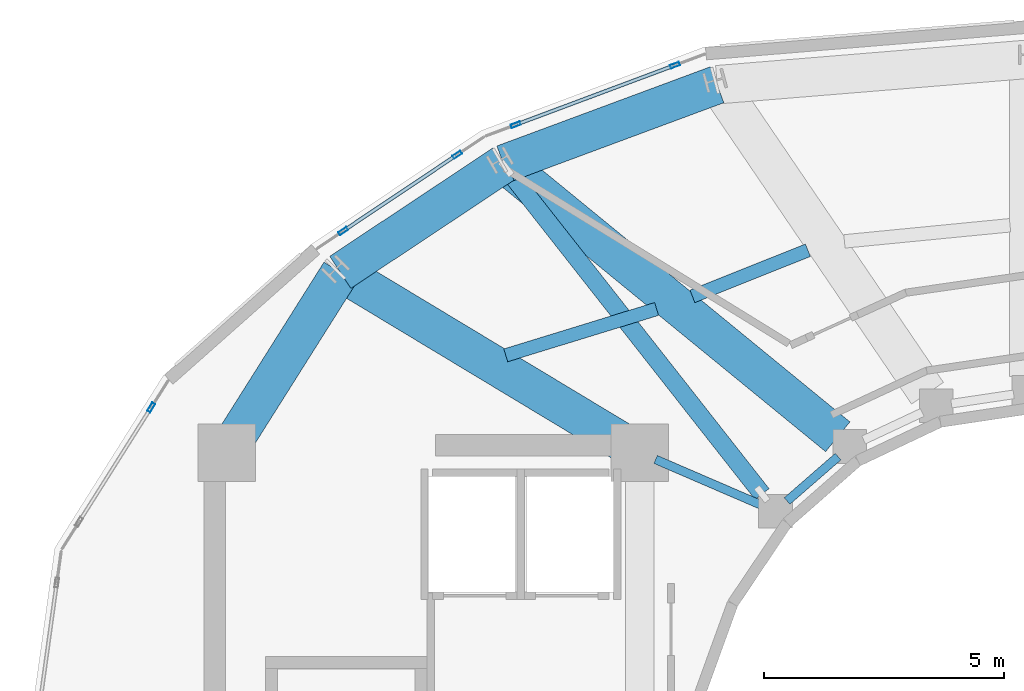
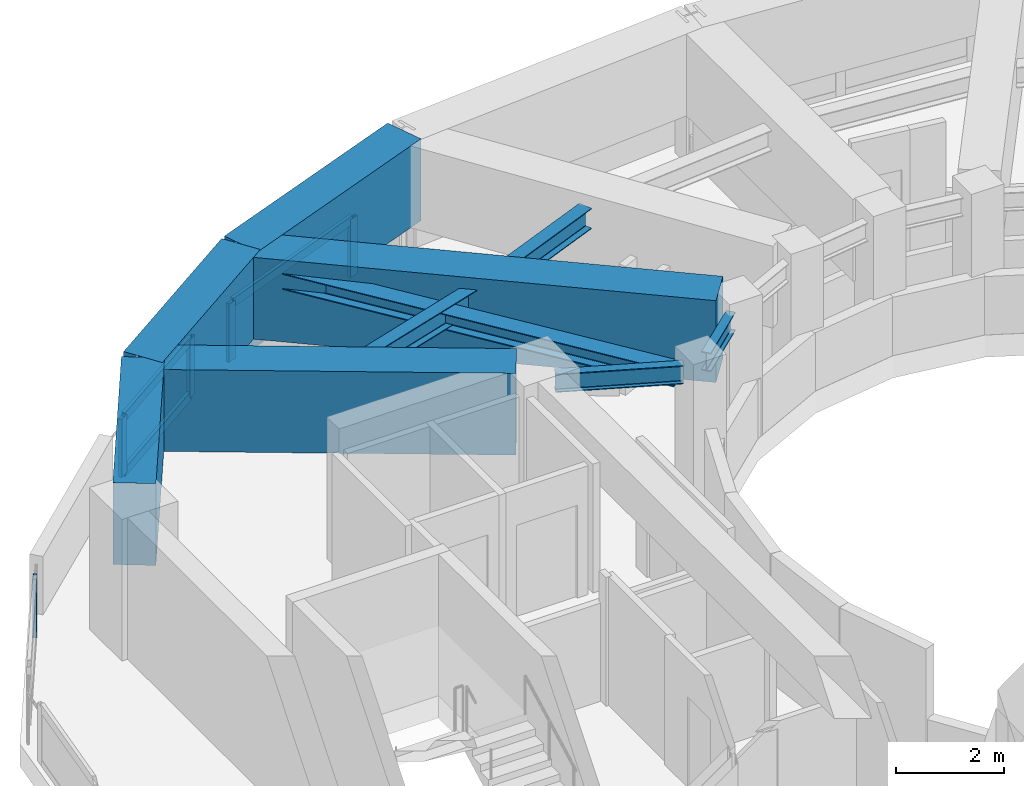
# One storey, part 9 of 21: 10 members, 9 beams, 3 elements without a shape of their own.
"""IFC4 building model written with IfcOpenShell, lengths in metres."""

from ifc_helpers import new_model, si_unit, direction, frame, origin, origin_2d, place, context, subcontext, project, spatial, rectangle, hollow_rectangle, i_section, extrude, material, layer, layer_set, material_profile, profile_set, type_object, element, aggregate, save


model = new_model("IFC4")

# Units and contexts
model_context = context("Model", 3, precision=1e-05, world=origin(), true_north=direction((0.0, 1.0)))
body_context = subcontext(model_context, "Body", "Model", "MODEL_VIEW")
ifc_project = project(units=[si_unit("LENGTHUNIT", "METRE"), si_unit("AREAUNIT", "SQUARE_METRE"), si_unit("VOLUMEUNIT", "CUBIC_METRE"), si_unit("PLANEANGLEUNIT", "RADIAN"), si_unit("MASSUNIT", "GRAM", prefix="KILO")], contexts=[model_context])

# Site, building, storey
site_placement = place(None, origin())
site = spatial("IfcSite", under=ifc_project, at=site_placement, CompositionType="ELEMENT")
building_placement = place(site_placement, origin())
building = spatial("IfcBuilding", under=site, at=building_placement, Name="Solvane Sanctuary Tower", CompositionType="ELEMENT")
storey_placement = place(building_placement, frame((0.0, 0.0, 260.39990234375)))
storey = spatial("IfcBuildingStorey", under=building, at=storey_placement, Name="L79", CompositionType="ELEMENT", Elevation=260.39990234375)

# Beams
ifc_material_1 = material(Name="Steel ASTM A992 Grade 50", Category="steel")
ifc_material_profile_1 = material_profile(ifc_material_1, i_section(OverallWidth=0.180908203125, OverallDepth=0.4169921875, WebThickness=0.010986328125, FlangeThickness=0.018310546875, FilletRadius=0.012939453125, at=origin_2d()), Name="W16X57")
ifc_profile_set_1 = profile_set([ifc_material_profile_1], Name="Steel ASTM A992 Grade 50")
beam_type_1 = type_object("IfcBeamType", Name="Beam B-ROOF-BM W16X57", PredefinedType="BEAM", material=ifc_profile_set_1)
beam_1_placement = place(storey_placement, frame((24.230712890625, 30.0576171875, 2.7294921875), z_axis=(0.918283854026, -0.395922673554, 0.0), x_axis=(0.395922673554, 0.918283854026, 0.0)))
element("IfcBeam", 1, at=beam_1_placement, inside=storey, type_object=beam_type_1, Name="L79 Inner Light-Well Ring Beam CW3-IC07", PredefinedType="BEAM", context=body_context, shape_type="SweptSolid", body=[
    extrude(i_section(OverallWidth=0.180908203125, OverallDepth=0.4169921875, WebThickness=0.010986328125, FlangeThickness=0.018310546875, FilletRadius=0.012939453125, at=origin_2d()), origin(), (0.0, 0.0, 1.0), 2.396240234375),
])
beam_2_placement = place(storey_placement, frame((26.96630859375, 29.192138671875, 2.7294921875), z_axis=(0.754388985763, 0.656427648839, 0.0), x_axis=(-0.656427648839, 0.754388985763, 0.0)))
element("IfcBeam", 2, at=beam_2_placement, inside=storey, type_object=beam_type_1, Name="L79 Inner Light-Well Ring Beam IC07-IC06", PredefinedType="BEAM", context=body_context, shape_type="SweptSolid", body=[
    extrude(i_section(OverallWidth=0.180908203125, OverallDepth=0.4169921875, WebThickness=0.010986328125, FlangeThickness=0.018310546875, FilletRadius=0.012939453125, at=origin_2d()), origin(), (0.0, 0.0, 1.0), 1.408203125),
])
ifc_material_profile_2 = material_profile(ifc_material_1, i_section(OverallWidth=0.280029296875, OverallDepth=0.462890625, WebThickness=0.0107421875, FlangeThickness=0.017333984375, FilletRadius=0.013916015625, at=origin_2d()), Name="W18X76")
ifc_profile_set_2 = profile_set([ifc_material_profile_2], Name="Steel ASTM A992 Grade 50")
beam_type_2 = type_object("IfcBeamType", Name="Beam B-SEC-JOIST W18X76", PredefinedType="JOIST", material=ifc_profile_set_2)
beam_3_placement = place(storey_placement, frame((21.111083984375, 32.224609375, 2.70654296875), z_axis=(0.955852892864, 0.293845617974, 0.0), x_axis=(-0.293845617974, 0.955852892864, 0.0)))
element("IfcBeam", 3, at=beam_3_placement, inside=storey, type_object=beam_type_2, Name="L79 Secondary Circumferential Joist 07-06", PredefinedType="JOIST", context=body_context, shape_type="SweptSolid", body=[
    extrude(i_section(OverallWidth=0.280029296875, OverallDepth=0.462890625, WebThickness=0.0107421875, FlangeThickness=0.017333984375, FilletRadius=0.013916015625, at=origin_2d()), origin(), (0.0, 0.0, 1.0), 3.28515625),
])
beam_4_placement = place(storey_placement, frame((24.995849609375, 33.452392578125, 2.70654296875), z_axis=(0.92876903076, 0.370658990855, 0.0), x_axis=(-0.370658990855, 0.92876903076, 0.0)))
element("IfcBeam", 4, at=beam_4_placement, inside=storey, type_object=beam_type_2, Name="L79 Secondary Circumferential Joist 06-05", PredefinedType="JOIST", context=body_context, shape_type="SweptSolid", body=[
    extrude(i_section(OverallWidth=0.280029296875, OverallDepth=0.462890625, WebThickness=0.0107421875, FlangeThickness=0.017333984375, FilletRadius=0.013916015625, at=origin_2d()), origin(), (0.0, 0.0, 1.0), 2.589111328125),
])
ifc_material_2 = material(Name="Concrete C70/85", Category="concrete")
ifc_material_profile_3 = material_profile(ifc_material_2, rectangle(XDim=0.800048828125, YDim=1.85009765625, at=origin_2d()), Name="RC800X1850")
ifc_profile_set_3 = profile_set([ifc_material_profile_3], Name="Concrete C70/85")
beam_type_3 = type_object("IfcBeamType", Name="Beam B-XFER-BLK RC800X1850", PredefinedType="BEAM", material=ifc_profile_set_3)
beam_5_placement = place(storey_placement, frame((28.022216796875, 30.529296875, 2.275146484375), z_axis=(-0.773916156075, 0.63328807297, 0.0), x_axis=(-0.63328807297, -0.773916156075, 0.0)))
element("IfcBeam", 5, at=beam_5_placement, inside=storey, type_object=beam_type_3, Name="L79 Block-Shift Radial Transfer Girder 06A", PredefinedType="BEAM", context=body_context, shape_type="SweptSolid", body=[
    extrude(rectangle(XDim=0.800048828125, YDim=1.85009765625, at=origin_2d()), origin(), (0.0, 0.0, 1.0), 8.989501953125),
])
beam_6_placement = place(storey_placement, frame((23.591796875, 30.3857421875, 2.275146484375), z_axis=(-0.856463025374, 0.516208374756, 0.0), x_axis=(-0.516208374756, -0.856463025374, 0.0)))
element("IfcBeam", 6, at=beam_6_placement, inside=storey, type_object=beam_type_3, Name="L79 Block-Shift Radial Transfer Girder 07A", PredefinedType="BEAM", context=body_context, shape_type="SweptSolid", body=[
    extrude(rectangle(XDim=0.800048828125, YDim=1.85009765625, at=origin_2d()), origin(), (0.0, 0.0, 1.0), 6.934814453125),
])
beam_7_placement = place(storey_placement, frame((15.491943359375, 30.50439453125, 2.275146484375), z_axis=(0.533445325405, 0.845834549308, 0.0), x_axis=(-0.845834549308, 0.533445325405, 0.0)))
element("IfcBeam", 7, at=beam_7_placement, inside=storey, type_object=beam_type_3, Name="L79 Perimeter Step Transfer Ring CW4-NTC07", PredefinedType="BEAM", context=body_context, shape_type="SweptSolid", body=[
    extrude(rectangle(XDim=0.800048828125, YDim=1.85009765625, at=origin_2d()), origin(), (0.0, 0.0, 1.0), 4.076416015625),
])
beam_8_placement = place(storey_placement, frame((17.66650390625, 33.952392578125, 2.275146484375), z_axis=(0.833190720358, 0.552985735357, 0.0), x_axis=(-0.552985735357, 0.833190720358, 0.0)))
element("IfcBeam", 8, at=beam_8_placement, inside=storey, type_object=beam_type_3, Name="L79 Perimeter Step Transfer Ring NTC07-NTC06", PredefinedType="BEAM", context=body_context, shape_type="SweptSolid", body=[
    extrude(rectangle(XDim=0.800048828125, YDim=1.85009765625, at=origin_2d()), origin(), (0.0, 0.0, 1.0), 4.07763671875),
])
beam_9_placement = place(storey_placement, frame((21.06396484375, 36.207275390625, 2.275146484375), z_axis=(0.937541853236, 0.347872495939, 0.0), x_axis=(-0.347872495939, 0.937541853236, 0.0)))
element("IfcBeam", 9, at=beam_9_placement, inside=storey, type_object=beam_type_3, Name="L79 Perimeter Step Transfer Ring NTC06-NTC05", PredefinedType="BEAM", context=body_context, shape_type="SweptSolid", body=[
    extrude(rectangle(XDim=0.800048828125, YDim=1.85009765625, at=origin_2d()), origin(), (0.0, 0.0, 1.0), 4.74365234375),
])

# Member
ifc_material_profile_4 = material_profile(ifc_material_1, i_section(OverallWidth=0.368896484375, OverallDepth=0.35595703125, WebThickness=0.01123046875, FlangeThickness=0.01806640625, FilletRadius=0.02490234375, at=origin_2d()), Name="W14X90")
ifc_profile_set_4 = profile_set([ifc_material_profile_4], Name="Steel ASTM A992 Grade 50")
member_type_1 = type_object("IfcMemberType", Name="Member M-CROWN-TIE W14X90", PredefinedType="CHORD", material=ifc_profile_set_4)
member_1_placement = place(storey_placement, frame((26.444091796875, 29.33984375, 2.540283203125), z_axis=(-0.617589777425, 0.786175324779, 0.022610296939), x_axis=(-0.786376358311, -0.617747701809, 0.0)))
element("IfcMember", 10, at=member_1_placement, inside=storey, type_object=member_type_1, Name="L79 Crown Bracing Tie 07", PredefinedType="CHORD", context=body_context, shape_type="SweptSolid", body=[
    extrude(i_section(OverallWidth=0.368896484375, OverallDepth=0.35595703125, WebThickness=0.01123046875, FlangeThickness=0.01806640625, FilletRadius=0.02490234375, at=origin_2d()), origin(), (0.0, 0.0, 1.0), 8.61669921875),
])

# Curtain wall, members
ifc_material_3 = material(Name="Anodised Aluminium 6063-T6", Category="aluminium")
ifc_layer = layer(ifc_material_3, 0.219970703125, Name="Anodised Aluminium 6063-T6")
ifc_layer_set = layer_set([ifc_layer], Name="Anodised Aluminium 6063-T6")
curtain_wall_type = type_object("IfcCurtainWallType", Name="Curtain Wall CW-CROWN", PredefinedType="NOTDEFINED", material=ifc_layer_set)
curtain_wall_1_placement = place(storey_placement, origin())
curtain_wall_1 = element("IfcCurtainWall", 11, at=curtain_wall_1_placement, inside=storey, type_object=curtain_wall_type, Name="L79 Crown Fritted Lantern Curtain Wall 07", PredefinedType="NOTDEFINED")
ifc_material_profile_5 = material_profile(ifc_material_3, hollow_rectangle(XDim=0.074951171875, YDim=0.199951171875, WallThickness=0.00390625, at=origin_2d()), Name="ALU200X75X4")
ifc_profile_set_5 = profile_set([ifc_material_profile_5], Name="Anodised Aluminium 6063-T6")
member_type_2 = type_object("IfcMemberType", Name="Member M-CW-MUL-1 ALU200X75X4", PredefinedType="MULLION", material=ifc_profile_set_5)
member_2_placement = place(storey_placement, frame((24.63525390625, 38.264404296875, 0.0), z_axis=(0.0, 0.0, 1.0), x_axis=(0.350162997497, -0.936688782459, 0.0)))
member_2 = element("IfcMember", 12, at=member_2_placement, type_object=member_type_2, Name="CW-CROWN mullion 1", PredefinedType="MULLION", context=body_context, shape_type="SweptSolid", body=[
    extrude(hollow_rectangle(XDim=0.074951171875, YDim=0.199951171875, WallThickness=0.00390625, at=origin_2d()), origin(), (0.0, 0.0, 1.0), 1.320068359375),
])
member_3_placement = place(storey_placement, frame((21.31689453125, 37.02392578125, 0.0), z_axis=(0.0, 0.0, 1.0), x_axis=(0.350162997497, -0.936688782459, 0.0)))
member_3 = element("IfcMember", 13, at=member_3_placement, type_object=member_type_2, Name="CW-CROWN mullion 2", PredefinedType="MULLION", context=body_context, shape_type="SweptSolid", body=[
    extrude(hollow_rectangle(XDim=0.074951171875, YDim=0.199951171875, WallThickness=0.00390625, at=origin_2d()), origin(), (0.0, 0.0, 1.0), 1.320068359375),
])

curtain_wall_2_placement = place(storey_placement, origin())
curtain_wall_2 = element("IfcCurtainWall", 14, at=curtain_wall_2_placement, inside=storey, type_object=curtain_wall_type, Name="L79 Crown Fritted Lantern Curtain Wall 08", PredefinedType="NOTDEFINED")
member_4_placement = place(storey_placement, frame((20.101318359375, 36.40087890625, 0.0), z_axis=(0.0, 0.0, 1.0), x_axis=(0.555895447079, -0.831252219195, 0.0)))
member_4 = element("IfcMember", 15, at=member_4_placement, type_object=member_type_2, Name="CW-CROWN mullion 1", PredefinedType="MULLION", context=body_context, shape_type="SweptSolid", body=[
    extrude(hollow_rectangle(XDim=0.074951171875, YDim=0.199951171875, WallThickness=0.00390625, at=origin_2d()), origin(), (0.0, 0.0, 1.0), 1.320068359375),
])
member_5_placement = place(storey_placement, frame((17.7255859375, 34.81201171875, 0.0), z_axis=(0.0, 0.0, 1.0), x_axis=(0.555895447079, -0.831252219195, 0.0)))
member_5 = element("IfcMember", 16, at=member_5_placement, type_object=member_type_2, Name="CW-CROWN mullion 2", PredefinedType="MULLION", context=body_context, shape_type="SweptSolid", body=[
    extrude(hollow_rectangle(XDim=0.074951171875, YDim=0.199951171875, WallThickness=0.00390625, at=origin_2d()), origin(), (0.0, 0.0, 1.0), 1.320068359375),
])

# Curtain wall, member
curtain_wall_3_placement = place(storey_placement, origin())
curtain_wall_3 = element("IfcCurtainWall", 17, at=curtain_wall_3_placement, inside=storey, type_object=curtain_wall_type, Name="L79 Crown Fritted Lantern Curtain Wall 10", PredefinedType="NOTDEFINED")
member_6_placement = place(storey_placement, frame((13.730712890625, 31.13916015625, 0.0), z_axis=(0.0, 0.0, 1.0), x_axis=(0.845808282613, -0.533486971784, 0.0)))
member_6 = element("IfcMember", 18, at=member_6_placement, type_object=member_type_2, Name="CW-CROWN mullion 1", PredefinedType="MULLION", context=body_context, shape_type="SweptSolid", body=[
    extrude(hollow_rectangle(XDim=0.074951171875, YDim=0.199951171875, WallThickness=0.00390625, at=origin_2d()), origin(), (0.0, 0.0, 1.0), 1.320068359375),
])
aggregate(curtain_wall_3, [member_6])

# Member
ifc_material_profile_6 = material_profile(ifc_material_3, hollow_rectangle(XDim=0.074951171875, YDim=0.199951171875, WallThickness=0.00390625, at=origin_2d()), Name="ALU200X75X4")
ifc_profile_set_6 = profile_set([ifc_material_profile_6], Name="Anodised Aluminium 6063-T6")
member_type_3 = type_object("IfcMemberType", Name="Member M-CW-TRN-2 ALU200X75X4", PredefinedType="USERDEFINED", material=ifc_profile_set_6)
member_7_placement = place(storey_placement, frame((24.60009765625, 38.251220703125, 0.03759765625), z_axis=(-0.936675925427, -0.350197388235, 0.0), x_axis=(0.350197388235, -0.936675925427, 0.0)))
member_7 = element("IfcMember", 19, at=member_7_placement, type_object=member_type_3, Name="CW-CROWN transom 1.1", ObjectType="TRANSOM", PredefinedType="USERDEFINED", context=body_context, shape_type="SweptSolid", body=[
    extrude(hollow_rectangle(XDim=0.074951171875, YDim=0.199951171875, WallThickness=0.00390625, at=origin_2d()), origin(), (0.0, 0.0, 1.0), 3.467529296875),
])

member_8_placement = place(storey_placement, frame((24.60009765625, 38.251220703125, 1.28271484375), z_axis=(-0.936675925427, -0.350197388235, 0.0), x_axis=(0.350197388235, -0.936675925427, 0.0)))
member_8 = element("IfcMember", 20, at=member_8_placement, type_object=member_type_3, Name="CW-CROWN transom 1.2", ObjectType="TRANSOM", PredefinedType="USERDEFINED", context=body_context, shape_type="SweptSolid", body=[
    extrude(hollow_rectangle(XDim=0.074951171875, YDim=0.199951171875, WallThickness=0.00390625, at=origin_2d()), origin(), (0.0, 0.0, 1.0), 3.467529296875),
])

aggregate(curtain_wall_1, [member_2, member_3, member_7, member_8])

member_9_placement = place(storey_placement, frame((20.0703125, 36.380126953125, 0.03759765625), z_axis=(-0.831280296431, -0.555853459795, 0.0), x_axis=(0.555853459795, -0.831280296431, 0.0)))
member_9 = element("IfcMember", 21, at=member_9_placement, type_object=member_type_3, Name="CW-CROWN transom 1.1", ObjectType="TRANSOM", PredefinedType="USERDEFINED", context=body_context, shape_type="SweptSolid", body=[
    extrude(hollow_rectangle(XDim=0.074951171875, YDim=0.199951171875, WallThickness=0.00390625, at=origin_2d()), origin(), (0.0, 0.0, 1.0), 2.783203125),
])

member_10_placement = place(storey_placement, frame((20.0703125, 36.380126953125, 1.28271484375), z_axis=(-0.831280296431, -0.555853459795, 0.0), x_axis=(0.555853459795, -0.831280296431, 0.0)))
member_10 = element("IfcMember", 22, at=member_10_placement, type_object=member_type_3, Name="CW-CROWN transom 1.2", ObjectType="TRANSOM", PredefinedType="USERDEFINED", context=body_context, shape_type="SweptSolid", body=[
    extrude(hollow_rectangle(XDim=0.074951171875, YDim=0.199951171875, WallThickness=0.00390625, at=origin_2d()), origin(), (0.0, 0.0, 1.0), 2.783203125),
])

aggregate(curtain_wall_2, [member_4, member_5, member_9, member_10])

save(model, "model.ifc")
